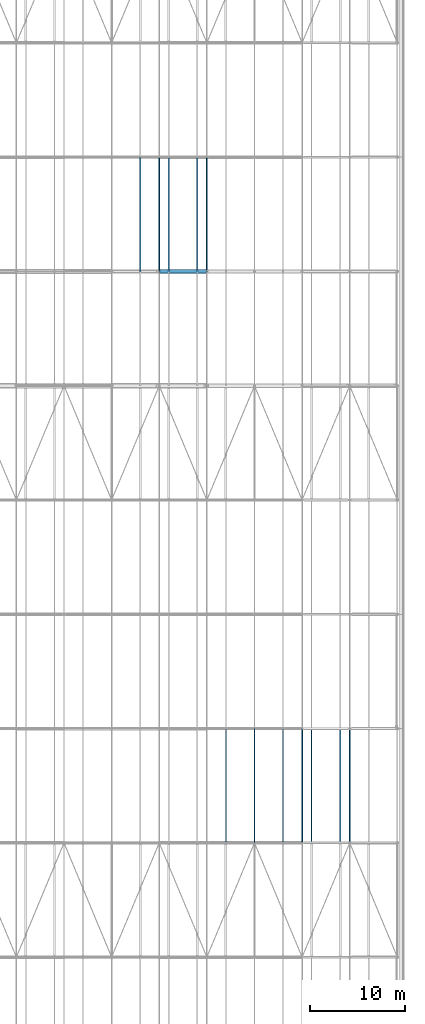
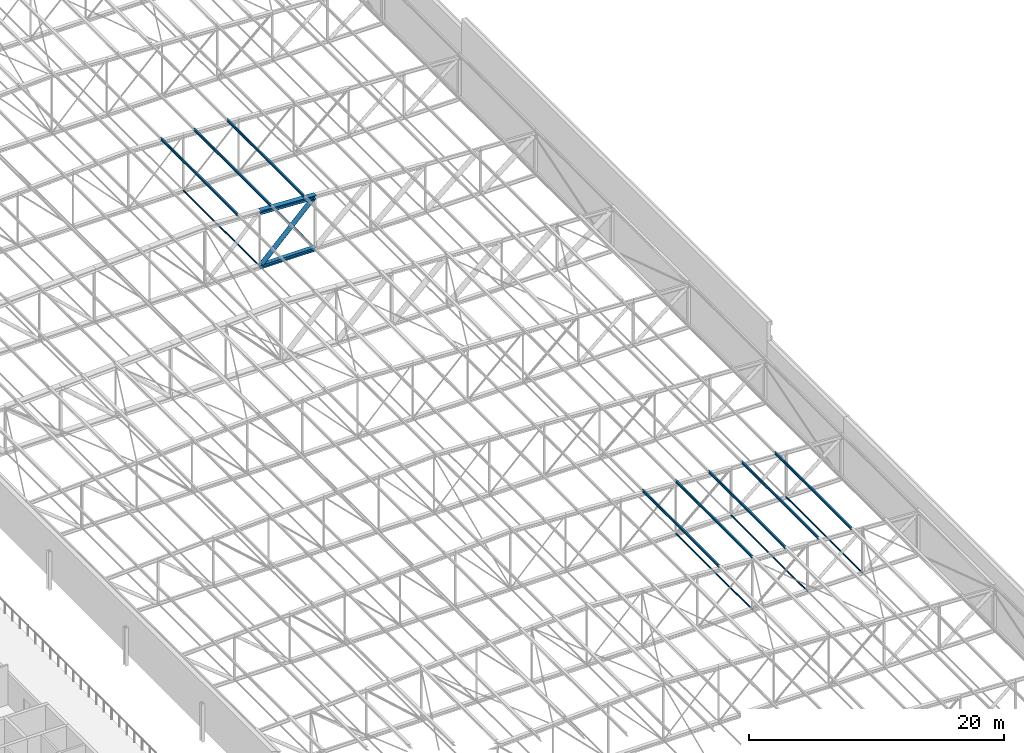
# One storey, part 77 of 156: 16 members.
"""IFC4 building model written with IfcOpenShell, lengths in metres."""

from ifc_helpers import new_model, si_unit, direction, frame, origin, origin_2d, place, context, subcontext, project, spatial, hollow_circle, i_section, extrude, material, material_profile, profile_set, type_object, element, save


model = new_model("IFC4")

# Units and contexts
model_context = context("Model", 3, precision=1e-05, world=origin(), true_north=direction((0.0, 1.0)))
body_context = subcontext(model_context, "Body", "Model", "MODEL_VIEW")
ifc_project = project(units=[si_unit("LENGTHUNIT", "METRE"), si_unit("AREAUNIT", "SQUARE_METRE"), si_unit("VOLUMEUNIT", "CUBIC_METRE"), si_unit("PLANEANGLEUNIT", "RADIAN"), si_unit("MASSUNIT", "GRAM", prefix="KILO")], contexts=[model_context])

# Site, building, storey
site_placement = place(None, origin())
site = spatial("IfcSite", under=ifc_project, at=site_placement, CompositionType="ELEMENT")
building_placement = place(site_placement, origin())
building = spatial("IfcBuilding", under=site, at=building_placement, Name="Lilac Gate Convention Centre", CompositionType="ELEMENT")
storey_placement = place(building_placement, frame((0.0, 0.0, 17.0)))
storey = spatial("IfcBuildingStorey", under=building, at=storey_placement, Name="L03", CompositionType="ELEMENT", Elevation=17.0)

# Members
ifc_material = material(Name="Steel Q355B", Category="steel")
ifc_material_profile_1 = material_profile(ifc_material, hollow_circle(Radius=0.06982421875, WallThickness=0.0048828125, at=origin_2d()), Name="CHS139.7x5")
ifc_profile_set_1 = profile_set([ifc_material_profile_1], Name="Steel Q355B")
member_type_1 = type_object("IfcMemberType", Name="Bottom chord tie CHS139.7x5", PredefinedType="STRUT", material=ifc_profile_set_1)
member_1_placement = place(storey_placement, frame((75.0, 90.006103515625, 0.0), z_axis=(0.0, 1.0, 0.0), x_axis=(-1.0, 0.0, 0.0)))
element("IfcMember", 1, at=member_1_placement, inside=storey, type_object=member_type_1, Name="ST1 tie bay 6 node 10", PredefinedType="STRUT", context=body_context, shape_type="SweptSolid", body=[
    extrude(hollow_circle(Radius=0.06982421875, WallThickness=0.0048828125, at=origin_2d()), origin(), (0.0, 0.0, 1.0), 11.98779296875),
])
for number, where, z_axis, x_axis, name in (
    (2, (80.0, 90.00341796875, 0.0), (0.0, 1.0, 0.0), (-1.0, 0.0, 0.0), "ST1 tie bay 6 node 11"),
    (3, (85.0, 90.00341796875, 0.0), (0.0, 1.0, 0.0), (-1.0, 0.0, 0.0), "ST1 tie bay 6 node 12"),
):
    element("IfcMember", number, at=place(storey_placement, frame(where, z_axis=z_axis, x_axis=x_axis)), inside=storey, type_object=member_type_1, Name=name, PredefinedType="STRUT", context=body_context, shape_type="SweptSolid", body=[
        extrude(hollow_circle(Radius=0.06982421875, WallThickness=0.0048828125, at=origin_2d()), origin(), (0.0, 0.0, 1.0), 11.9931640625),
    ])
member_2_placement = place(storey_placement, frame((65.0, 150.008056640625, 0.0), z_axis=(0.0, 1.0, 0.0), x_axis=(-1.0, 0.0, 0.0)))
element("IfcMember", 4, at=member_2_placement, inside=storey, type_object=member_type_1, Name="ST1 tie bay 11 node 8", PredefinedType="STRUT", context=body_context, shape_type="SweptSolid", body=[
    extrude(hollow_circle(Radius=0.06982421875, WallThickness=0.0048828125, at=origin_2d()), origin(), (0.0, 0.0, 1.0), 11.982421875),
])
member_3_placement = place(storey_placement, frame((70.0, 150.006103515625, 0.0), z_axis=(0.0, 1.0, 0.0), x_axis=(-1.0, 0.0, 0.0)))
element("IfcMember", 5, at=member_3_placement, inside=storey, type_object=member_type_1, Name="ST1 tie bay 11 node 9", PredefinedType="STRUT", context=body_context, shape_type="SweptSolid", body=[
    extrude(hollow_circle(Radius=0.06982421875, WallThickness=0.0048828125, at=origin_2d()), origin(), (0.0, 0.0, 1.0), 11.98779296875),
])
ifc_material_profile_2 = material_profile(ifc_material, i_section(OverallWidth=0.125, OverallDepth=0.25, WebThickness=0.006103515625, FlangeThickness=0.009033203125, FilletRadius=0.008056640625, at=origin_2d()), Name="HN250x125x6x9")
ifc_profile_set_2 = profile_set([ifc_material_profile_2], Name="Steel Q355B")
member_type_2 = type_object("IfcMemberType", Name="Roof purlin HN250x125x6x9", PredefinedType="PURLIN", material=ifc_profile_set_2)
for number, where, z_axis, x_axis, name in (
    (6, (72.0, 90.0, 5.2001953125), (0.0, 1.0, 0.0), (-1.0, 0.0, 0.0), "PU2 purlin bay 6 line 15"),
    (7, (75.0, 90.0, 5.05029296875), (0.0, 1.0, 0.0), (-1.0, 0.0, 0.0), "PU2 purlin bay 6 line 16"),
    (8, (78.0, 90.0, 4.900146484375), (0.0, 1.0, 0.0), (-1.0, 0.0, 0.0), "PU2 purlin bay 6 line 17"),
    (9, (81.0, 90.0, 4.750244140625), (0.0, 1.0, 0.0), (-1.0, 0.0, 0.0), "PU2 purlin bay 6 line 18"),
    (10, (84.0, 90.0, 4.60009765625), (0.0, 1.0, 0.0), (-1.0, 0.0, 0.0), "PU2 purlin bay 6 line 19"),
    (11, (63.0, 150.0, 5.650146484375), (0.0, 1.0, 0.0), (-1.0, 0.0, 0.0), "PU2 purlin bay 11 line 12"),
    (12, (66.0, 150.0, 5.500244140625), (0.0, 1.0, 0.0), (-1.0, 0.0, 0.0), "PU2 purlin bay 11 line 13"),
    (13, (69.0, 150.0, 5.35009765625), (0.0, 1.0, 0.0), (-1.0, 0.0, 0.0), "PU2 purlin bay 11 line 14"),
):
    element("IfcMember", number, at=place(storey_placement, frame(where, z_axis=z_axis, x_axis=x_axis)), inside=storey, type_object=member_type_2, Name=name, PredefinedType="PURLIN", context=body_context, shape_type="SweptSolid", body=[
        extrude(i_section(OverallWidth=0.125, OverallDepth=0.25, WebThickness=0.006103515625, FlangeThickness=0.009033203125, FilletRadius=0.008056640625, at=origin_2d()), origin(), (0.0, 0.0, 1.0), 12.0),
    ])
ifc_material_profile_3 = material_profile(ifc_material, i_section(OverallWidth=0.35693359375, OverallDepth=0.35009765625, WebThickness=0.01904296875, FlangeThickness=0.01904296875, FilletRadius=0.012939453125, at=origin_2d()), Name="HW350x357x19x19")
ifc_profile_set_3 = profile_set([ifc_material_profile_3], Name="Steel Q355B")
member_type_3 = type_object("IfcMemberType", Name="Truss bottom chord HW350x357x19x19", PredefinedType="CHORD", material=ifc_profile_set_3)
member_4_placement = place(storey_placement, frame((65.0, 150.0, 0.0), z_axis=(1.0, 0.0, 0.0), x_axis=(0.0, 1.0, 0.0)))
element("IfcMember", 14, at=member_4_placement, inside=storey, type_object=member_type_3, Name="TB3 truss 11 bottom chord 8", PredefinedType="CHORD", context=body_context, shape_type="SweptSolid", body=[
    extrude(i_section(OverallWidth=0.35693359375, OverallDepth=0.35009765625, WebThickness=0.01904296875, FlangeThickness=0.01904296875, FilletRadius=0.012939453125, at=origin_2d()), origin(), (0.0, 0.0, 1.0), 5.0),
])
ifc_material_profile_4 = material_profile(ifc_material, hollow_circle(Radius=0.203125, WallThickness=0.01611328125, at=origin_2d()), Name="CHS406.4x16")
ifc_profile_set_4 = profile_set([ifc_material_profile_4], Name="Steel Q355B")
member_type_4 = type_object("IfcMemberType", Name="Truss diagonal CHS406.4x16", PredefinedType="BRACE", material=ifc_profile_set_4)
member_5_placement = place(storey_placement, frame((69.835693359375, 150.0, 4.835693359375), z_axis=(-0.707106781187, 0.0, -0.707106781187), x_axis=(0.0, -1.0, 0.0)))
element("IfcMember", 15, at=member_5_placement, inside=storey, type_object=member_type_4, Name="TW9 truss 11 diagonal 8", PredefinedType="BRACE", context=body_context, shape_type="SweptSolid", body=[
    extrude(hollow_circle(Radius=0.203125, WallThickness=0.01611328125, at=origin_2d()), origin(), (0.0, 0.0, 1.0), 6.591064453125),
])
ifc_material_profile_5 = material_profile(ifc_material, i_section(OverallWidth=0.449951171875, OverallDepth=0.35009765625, WebThickness=0.01611328125, FlangeThickness=0.028076171875, FilletRadius=0.008056640625, at=origin_2d()), Name="WH350x450x16x28")
ifc_profile_set_5 = profile_set([ifc_material_profile_5], Name="Steel Q355B")
member_type_5 = type_object("IfcMemberType", Name="Truss top chord WH350x450x16x28", PredefinedType="CHORD", material=ifc_profile_set_5)
member_6_placement = place(storey_placement, frame((65.0, 150.0, 5.25), z_axis=(0.998752338878, 0.0, -0.049937616944), x_axis=(0.0, 1.0, 0.0)))
element("IfcMember", 16, at=member_6_placement, inside=storey, type_object=member_type_5, Name="TT6 truss 11 top chord 8", PredefinedType="CHORD", context=body_context, shape_type="SweptSolid", body=[
    extrude(i_section(OverallWidth=0.449951171875, OverallDepth=0.35009765625, WebThickness=0.01611328125, FlangeThickness=0.028076171875, FilletRadius=0.008056640625, at=origin_2d()), origin(), (0.0, 0.0, 1.0), 5.00634765625),
])

save(model, "model.ifc")
